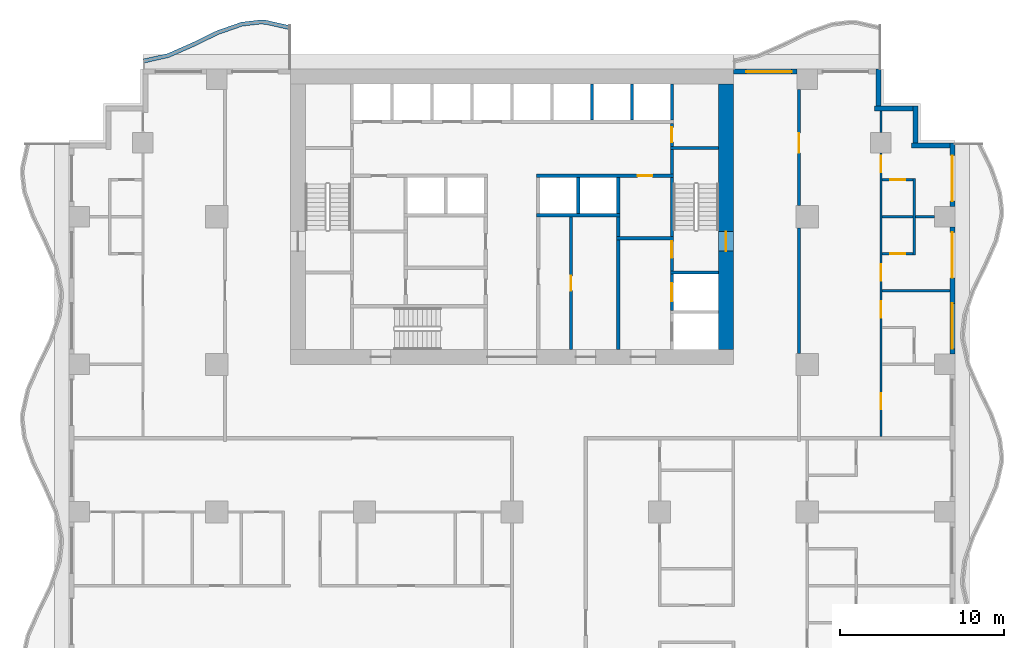
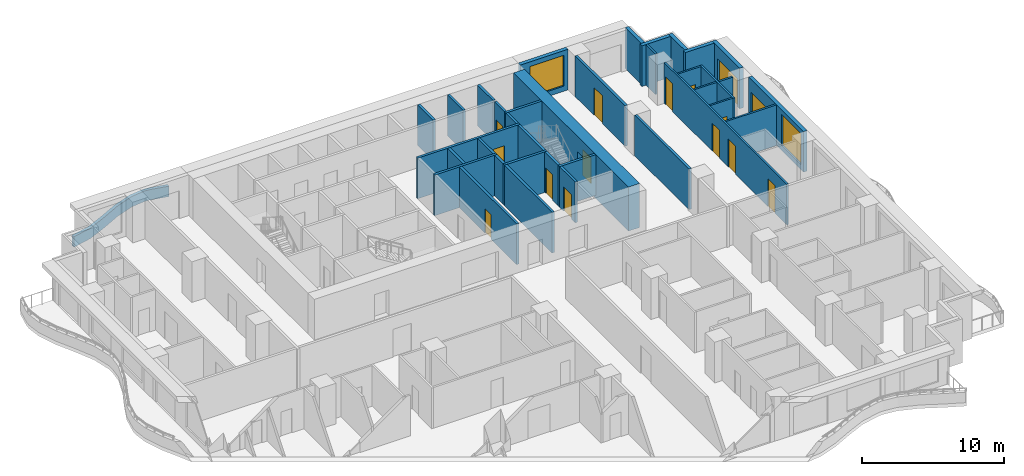
# One storey, part 6 of 14: 37 walls, 15 doors, 2 windows, 17 openings.
"""IFC4 building model written with IfcOpenShell, lengths in metres."""

from ifc_helpers import new_model, si_unit, direction, frame, frame_2d, origin, place, context, subcontext, project, spatial, polyline, rectangle, outline, extrude, material, layer, layer_set, type_object, element, fill, save


model = new_model("IFC4")

# Units and contexts
model_context = context("Model", 3, precision=1e-05, world=origin(), true_north=direction((0.0, 1.0)))
body_context = subcontext(model_context, "Body", "Model", "MODEL_VIEW")
ifc_project = project(units=[si_unit("LENGTHUNIT", "METRE"), si_unit("AREAUNIT", "SQUARE_METRE"), si_unit("VOLUMEUNIT", "CUBIC_METRE"), si_unit("PLANEANGLEUNIT", "RADIAN"), si_unit("MASSUNIT", "GRAM", prefix="KILO")], contexts=[model_context])

# Site, building, storey
site_placement = place(None, origin())
site = spatial("IfcSite", under=ifc_project, at=site_placement, CompositionType="ELEMENT")
building_placement = place(site_placement, origin())
building = spatial("IfcBuilding", under=site, at=building_placement, Name="Orbiselva Terraces", CompositionType="ELEMENT")
storey_placement = place(building_placement, frame((0.0, 0.0, 111.2)))
storey = spatial("IfcBuildingStorey", under=building, at=storey_placement, Name="L28", CompositionType="ELEMENT", Elevation=111.2)

# Wall, opening, door
ifc_material_1 = material(Name="Concrete C80/95", Category="concrete")
ifc_layer_1 = layer(ifc_material_1, 0.9)
ifc_layer_set_1 = layer_set([ifc_layer_1], Name="Concrete C80/95")
wall_type_1 = type_object("IfcWallType", Name="CORE WALL 900", PredefinedType="SHEAR", material=ifc_layer_set_1)
wall_1_placement = place(storey_placement, frame((13.05, 5.4, -0.3), z_axis=(0.0, 0.0, 1.0), x_axis=(0.0, 1.0, 0.0)))
wall_1 = element("IfcWall", 1, at=wall_1_placement, inside=storey, type_object=wall_type_1, Name="Core wall L28 east", PredefinedType="SHEAR", context=body_context, shape_type="SweptSolid", body=[
    extrude(rectangle(XDim=16.2, YDim=0.9, at=frame_2d((8.1, 0.0))), origin(), (0.0, 0.0, 1.0), 3.8),
])
opening_1_placement = place(wall_1_placement, frame((6.0, 0.0, 0.3)))
opening_1 = element("IfcOpeningElement", 2, at=opening_1_placement, cuts=wall_1, Name="Opening DS1200", PredefinedType="OPENING", context=body_context, shape_type="SweptSolid", body=[
    extrude(rectangle(XDim=1.2, YDim=2.2, at=frame_2d((0.6, 1.1))), frame((0.0, 0.46, 0.0), z_axis=(0.0, -1.0, 0.0), x_axis=(1.0, 0.0, 0.0)), (0.0, 0.0, 1.0), 0.92),
])
ifc_material_2 = material(Name="Steel fire door", Category="steel")
door_type_1 = type_object("IfcDoorType", Name="STAIR DOOR 1200", OperationType="NOTDEFINED", PredefinedType="DOOR", material=ifc_material_2)
door_1_placement = place(opening_1_placement, frame((1.2, 0.0, 0.0), z_axis=(0.0, 0.0, 1.0), x_axis=(-1.0, 0.0, 0.0)))
door_1 = element("IfcDoor", 3, at=door_1_placement, inside=storey, type_object=door_type_1, Name="L28 EXIT STAIR S2 door", OperationType="SINGLE_SWING_LEFT", OverallHeight=2.2, OverallWidth=1.2, PredefinedType="DOOR", context=body_context, shape_type="SweptSolid", body=[
    extrude(rectangle(XDim=1.2, YDim=2.2, at=frame_2d((0.6, 1.1))), frame((0.0, 0.025, 0.0), z_axis=(0.0, -1.0, 0.0), x_axis=(1.0, 0.0, 0.0)), (0.0, 0.0, 1.0), 0.05),
])
fill(opening_1, door_1)

ifc_material_3 = material(Name="Masonry blockwork", Category="masonry")
ifc_layer_2 = layer(ifc_material_3, 0.2)
ifc_layer_set_2 = layer_set([ifc_layer_2], Name="Masonry blockwork")
wall_type_2 = type_object("IfcWallType", Name="CORE-WALL-PARTITION-200", PredefinedType="PARTITIONING", material=ifc_layer_set_2)
wall_2_placement = place(storey_placement, frame((3.6, 13.5, 0.0), z_axis=(0.0, 0.0, 1.0), x_axis=(0.0, -1.0, 0.0)))
wall_2 = element("IfcWall", 4, at=wall_2_placement, inside=storey, type_object=wall_type_2, Name="L28 core wall 34", PredefinedType="PARTITIONING", context=body_context, shape_type="SweptSolid", body=[
    extrude(rectangle(XDim=8.1, YDim=0.2, at=frame_2d((4.05, 0.0))), origin(), (0.0, 0.0, 1.0), 3.5),
])
opening_2_placement = place(wall_2_placement, frame((3.6, 0.0, 0.0)))
opening_2 = element("IfcOpeningElement", 5, at=opening_2_placement, cuts=wall_2, Name="Opening DR900", PredefinedType="OPENING", context=body_context, shape_type="SweptSolid", body=[
    extrude(rectangle(XDim=0.9, YDim=2.1, at=frame_2d((0.45, 1.05))), frame((0.0, 0.11, 0.0), z_axis=(0.0, -1.0, 0.0), x_axis=(1.0, 0.0, 0.0)), (0.0, 0.0, 1.0), 0.22),
])
door_type_2 = type_object("IfcDoorType", Name="ROOM DOOR 900", OperationType="NOTDEFINED", PredefinedType="DOOR", material=ifc_material_2)
door_2_placement = place(opening_2_placement, origin())
door_2 = element("IfcDoor", 6, at=door_2_placement, inside=storey, type_object=door_type_2, Name="L28 SERVICE ROOM door", OperationType="SINGLE_SWING_RIGHT", OverallHeight=2.1, OverallWidth=0.9, PredefinedType="DOOR", context=body_context, shape_type="SweptSolid", body=[
    extrude(rectangle(XDim=0.9, YDim=2.1, at=frame_2d((0.45, 1.05))), frame((0.0, 0.025, 0.0), z_axis=(0.0, -1.0, 0.0), x_axis=(1.0, 0.0, 0.0)), (0.0, 0.0, 1.0), 0.05),
])
fill(opening_2, door_2)

# Wall
wall_3_placement = place(storey_placement, frame((6.475, 12.3, 0.0), z_axis=(0.0, 0.0, 1.0), x_axis=(0.0, 1.0, 0.0)))
element("IfcWall", 7, at=wall_3_placement, inside=storey, type_object=wall_type_2, Name="L28 core wall 39", PredefinedType="PARTITIONING", context=body_context, shape_type="SweptSolid", body=[
    extrude(rectangle(XDim=1.2, YDim=0.2, at=frame_2d((0.6, 0.0))), origin(), (0.0, 0.0, 1.0), 3.5),
])

# Wall, opening, door
wall_4_placement = place(storey_placement, frame((9.75, 19.2, 0.0), z_axis=(0.0, 0.0, 1.0), x_axis=(0.0, -1.0, 0.0)))
wall_4 = element("IfcWall", 8, at=wall_4_placement, inside=storey, type_object=wall_type_2, Name="L28 core wall 50", PredefinedType="PARTITIONING", context=body_context, shape_type="SweptSolid", body=[
    extrude(rectangle(XDim=1.4, YDim=0.2, at=frame_2d((0.7, 0.0))), origin(), (0.0, 0.0, 1.0), 3.5),
])
opening_3_placement = place(wall_4_placement, frame((0.25, 0.0, 0.0)))
opening_3 = element("IfcOpeningElement", 9, at=opening_3_placement, cuts=wall_4, Name="Opening DR900", PredefinedType="OPENING", context=body_context, shape_type="SweptSolid", body=[
    extrude(rectangle(XDim=0.9, YDim=2.1, at=frame_2d((0.45, 1.05))), frame((0.0, 0.11, 0.0), z_axis=(0.0, -1.0, 0.0), x_axis=(1.0, 0.0, 0.0)), (0.0, 0.0, 1.0), 0.22),
])
door_3_placement = place(opening_3_placement, origin())
door_3 = element("IfcDoor", 10, at=door_3_placement, inside=storey, type_object=door_type_2, Name="L28 ELECTRICAL RISER ROOM door", OperationType="SINGLE_SWING_RIGHT", OverallHeight=2.1, OverallWidth=0.9, PredefinedType="DOOR", context=body_context, shape_type="SweptSolid", body=[
    extrude(rectangle(XDim=0.9, YDim=2.1, at=frame_2d((0.45, 1.05))), frame((0.0, 0.025, 0.0), z_axis=(0.0, -1.0, 0.0), x_axis=(1.0, 0.0, 0.0)), (0.0, 0.0, 1.0), 0.05),
])
fill(opening_3, door_3)

# Walls
ifc_material_4 = material(Name="Concrete C40/50", Category="concrete")
ifc_layer_3 = layer(ifc_material_4, 0.2)
ifc_layer_set_3 = layer_set([ifc_layer_3], Name="Concrete C40/50")
wall_type_3 = type_object("IfcWallType", Name="CORE-WALL-SHAFT-200", PredefinedType="PARTITIONING", material=ifc_layer_set_3)
for number, where, z_axis, x_axis, name in (
    (11, (4.0375, 13.7, 0.0), (0.0, 0.0, 1.0), (0.0, 1.0, 0.0), "L28 core wall 35"),
    (12, (4.875, 19.4, 0.0), (0.0, 0.0, 1.0), (0.0, 1.0, 0.0), "L28 core wall 36"),
    (13, (6.475, 13.7, 0.0), (0.0, 0.0, 1.0), (0.0, 1.0, 0.0), "L28 core wall 40"),
    (14, (7.3125, 19.4, 0.0), (0.0, 0.0, 1.0), (0.0, 1.0, 0.0), "L28 core wall 41"),
    (15, (9.75, 19.4, 0.0), (0.0, 0.0, 1.0), (0.0, 1.0, 0.0), "L28 core wall 51"),
):
    element("IfcWall", number, at=place(storey_placement, frame(where, z_axis=z_axis, x_axis=x_axis)), inside=storey, type_object=wall_type_3, Name=name, PredefinedType="PARTITIONING", context=body_context, shape_type="SweptSolid", body=[
        extrude(rectangle(XDim=2.2, YDim=0.2, at=frame_2d((1.1, 0.0))), origin(), (0.0, 0.0, 1.0), 3.5),
    ])
ifc_material_5 = material(Name="Concrete C60/75", Category="concrete")
ifc_layer_4 = layer(ifc_material_5, 0.2)
ifc_layer_set_4 = layer_set([ifc_layer_4], Name="Concrete C60/75")
wall_type_4 = type_object("IfcWallType", Name="CORE-WALL-SHEAR-200", PredefinedType="SHEAR", material=ifc_layer_set_4)
wall_5_placement = place(storey_placement, frame((1.5, 13.6, 0.0), z_axis=(0.0, 0.0, 1.0), x_axis=(1.0, 0.0, 0.0)))
element("IfcWall", 16, at=wall_5_placement, inside=storey, type_object=wall_type_4, Name="L28 core wall 30", PredefinedType="SHEAR", context=body_context, shape_type="SweptSolid", body=[
    extrude(rectangle(XDim=5.075, YDim=0.2, at=frame_2d((2.5375, 0.0))), origin(), (0.0, 0.0, 1.0), 3.5),
])

# Wall, opening, door
wall_6_placement = place(storey_placement, frame((9.85, 16.0, 0.0), z_axis=(0.0, 0.0, 1.0), x_axis=(-1.0, 0.0, 0.0)))
wall_6 = element("IfcWall", 17, at=wall_6_placement, inside=storey, type_object=wall_type_4, Name="L28 core wall 32", PredefinedType="SHEAR", context=body_context, shape_type="SweptSolid", body=[
    extrude(rectangle(XDim=8.35, YDim=0.2, at=frame_2d((4.175, 0.0))), origin(), (0.0, 0.0, 1.0), 3.5),
])
opening_4_placement = place(wall_6_placement, frame((1.2875, 0.0, 0.0)))
opening_4 = element("IfcOpeningElement", 18, at=opening_4_placement, cuts=wall_6, Name="Opening DR900", PredefinedType="OPENING", context=body_context, shape_type="SweptSolid", body=[
    extrude(rectangle(XDim=0.9, YDim=2.1, at=frame_2d((0.45, 1.05))), frame((0.0, 0.11, 0.0), z_axis=(0.0, -1.0, 0.0), x_axis=(1.0, 0.0, 0.0)), (0.0, 0.0, 1.0), 0.22),
])
door_4_placement = place(opening_4_placement, origin())
door_4 = element("IfcDoor", 19, at=door_4_placement, inside=storey, type_object=door_type_2, Name="L28 PIPE RISER ROOM door", OperationType="SINGLE_SWING_LEFT", OverallHeight=2.1, OverallWidth=0.9, PredefinedType="DOOR", context=body_context, shape_type="SweptSolid", body=[
    extrude(rectangle(XDim=0.9, YDim=2.1, at=frame_2d((0.45, 1.05))), frame((0.0, 0.025, 0.0), z_axis=(0.0, -1.0, 0.0), x_axis=(1.0, 0.0, 0.0)), (0.0, 0.0, 1.0), 0.05),
])
fill(opening_4, door_4)

# Walls
wall_7_placement = place(storey_placement, frame((6.475, 5.4, 0.0), z_axis=(0.0, 0.0, 1.0), x_axis=(0.0, 1.0, 0.0)))
element("IfcWall", 20, at=wall_7_placement, inside=storey, type_object=wall_type_4, Name="L28 core wall 37", PredefinedType="SHEAR", context=body_context, shape_type="SweptSolid", body=[
    extrude(rectangle(XDim=6.7, YDim=0.2, at=frame_2d((3.35, 0.0))), origin(), (0.0, 0.0, 1.0), 3.5),
])
wall_8_placement = place(storey_placement, frame((6.375, 12.2, 0.0), z_axis=(0.0, 0.0, 1.0), x_axis=(1.0, 0.0, 0.0)))
element("IfcWall", 21, at=wall_8_placement, inside=storey, type_object=wall_type_4, Name="L28 core wall 38", PredefinedType="SHEAR", context=body_context, shape_type="SweptSolid", body=[
    extrude(rectangle(XDim=3.475, YDim=0.2, at=frame_2d((1.7375, 0.0))), origin(), (0.0, 0.0, 1.0), 3.5),
])

# Wall, opening, door
wall_9_placement = place(storey_placement, frame((9.75, 7.8, 0.0), z_axis=(0.0, 0.0, 1.0), x_axis=(0.0, 1.0, 0.0)))
wall_9 = element("IfcWall", 22, at=wall_9_placement, inside=storey, type_object=wall_type_4, Name="L28 core wall 44", PredefinedType="SHEAR", context=body_context, shape_type="SweptSolid", body=[
    extrude(rectangle(XDim=2.2, YDim=0.2, at=frame_2d((1.1, 0.0))), origin(), (0.0, 0.0, 1.0), 3.5),
])
opening_5_placement = place(wall_9_placement, frame((0.55, 0.0, 0.0)))
opening_5 = element("IfcOpeningElement", 23, at=opening_5_placement, cuts=wall_9, Name="Opening LD-FF2", PredefinedType="OPENING", context=body_context, shape_type="SweptSolid", body=[
    extrude(rectangle(XDim=1.1, YDim=2.1, at=frame_2d((0.55, 1.05))), frame((0.0, 0.11, 0.0), z_axis=(0.0, -1.0, 0.0), x_axis=(1.0, 0.0, 0.0)), (0.0, 0.0, 1.0), 0.22),
])
ifc_material_6 = material(Name="Stainless steel landing door", Category="steel")
door_type_3 = type_object("IfcDoorType", Name="LANDING DOOR 1100", OperationType="SLIDING_TO_LEFT", PredefinedType="DOOR", material=ifc_material_6)
door_5_placement = place(opening_5_placement, origin())
door_5 = element("IfcDoor", 24, at=door_5_placement, inside=storey, type_object=door_type_3, Name="L28 landing door FF2", OperationType="SLIDING_TO_RIGHT", OverallHeight=2.1, OverallWidth=1.1, PredefinedType="DOOR", context=body_context, shape_type="SweptSolid", body=[
    extrude(rectangle(XDim=1.1, YDim=2.1, at=frame_2d((0.55, 1.05))), frame((0.0, 0.025, 0.0), z_axis=(0.0, -1.0, 0.0), x_axis=(1.0, 0.0, 0.0)), (0.0, 0.0, 1.0), 0.05),
])
fill(opening_5, door_5)

# Wall
wall_10_placement = place(storey_placement, frame((9.65, 10.1, 0.0), z_axis=(0.0, 0.0, 1.0), x_axis=(1.0, 0.0, 0.0)))
element("IfcWall", 25, at=wall_10_placement, inside=storey, type_object=wall_type_4, Name="L28 core wall 45", PredefinedType="SHEAR", context=body_context, shape_type="SweptSolid", body=[
    extrude(rectangle(XDim=2.95, YDim=0.2, at=frame_2d((1.475, 0.0))), origin(), (0.0, 0.0, 1.0), 3.5),
])

# Wall, opening, door
wall_11_placement = place(storey_placement, frame((9.75, 12.1, 0.0), z_axis=(0.0, 0.0, 1.0), x_axis=(0.0, -1.0, 0.0)))
wall_11 = element("IfcWall", 26, at=wall_11_placement, inside=storey, type_object=wall_type_4, Name="L28 core wall 46", PredefinedType="SHEAR", context=body_context, shape_type="SweptSolid", body=[
    extrude(rectangle(XDim=1.9, YDim=0.2, at=frame_2d((0.95, 0.0))), origin(), (0.0, 0.0, 1.0), 3.5),
])
opening_6_placement = place(wall_11_placement, frame((0.1, 0.0, 0.0)))
opening_6 = element("IfcOpeningElement", 27, at=opening_6_placement, cuts=wall_11, Name="Opening DS1000", PredefinedType="OPENING", context=body_context, shape_type="SweptSolid", body=[
    extrude(rectangle(XDim=1.0, YDim=2.2, at=frame_2d((0.5, 1.1))), frame((0.0, 0.11, 0.0), z_axis=(0.0, -1.0, 0.0), x_axis=(1.0, 0.0, 0.0)), (0.0, 0.0, 1.0), 0.22),
])
door_type_4 = type_object("IfcDoorType", Name="STAIR DOOR 1000", OperationType="NOTDEFINED", PredefinedType="DOOR", material=ifc_material_2)
door_6_placement = place(opening_6_placement, origin())
door_6 = element("IfcDoor", 28, at=door_6_placement, inside=storey, type_object=door_type_4, Name="L28 FIRE-FIGHTING LOBBY TO EXIT STAIR S2 door", OperationType="SINGLE_SWING_LEFT", OverallHeight=2.2, OverallWidth=1.0, PredefinedType="DOOR", context=body_context, shape_type="SweptSolid", body=[
    extrude(rectangle(XDim=1.0, YDim=2.2, at=frame_2d((0.5, 1.1))), frame((0.0, 0.025, 0.0), z_axis=(0.0, -1.0, 0.0), x_axis=(1.0, 0.0, 0.0)), (0.0, 0.0, 1.0), 0.05),
])
fill(opening_6, door_6)

# Walls
wall_12_placement = place(storey_placement, frame((9.75, 12.3, 0.0), z_axis=(0.0, 0.0, 1.0), x_axis=(0.0, 1.0, 0.0)))
element("IfcWall", 29, at=wall_12_placement, inside=storey, type_object=wall_type_4, Name="L28 core wall 47", PredefinedType="SHEAR", context=body_context, shape_type="SweptSolid", body=[
    extrude(rectangle(XDim=3.6, YDim=0.2, at=frame_2d((1.8, 0.0))), origin(), (0.0, 0.0, 1.0), 3.5),
])
wall_13_placement = place(storey_placement, frame((9.75, 16.1, 0.0), z_axis=(0.0, 0.0, 1.0), x_axis=(0.0, 1.0, 0.0)))
element("IfcWall", 30, at=wall_13_placement, inside=storey, type_object=wall_type_4, Name="L28 core wall 48", PredefinedType="SHEAR", context=body_context, shape_type="SweptSolid", body=[
    extrude(rectangle(XDim=1.5, YDim=0.2, at=frame_2d((0.75, 0.0))), origin(), (0.0, 0.0, 1.0), 3.5),
])
wall_14_placement = place(storey_placement, frame((9.65, 17.7, 0.0), z_axis=(0.0, 0.0, 1.0), x_axis=(1.0, 0.0, 0.0)))
element("IfcWall", 31, at=wall_14_placement, inside=storey, type_object=wall_type_4, Name="L28 core wall 49", PredefinedType="SHEAR", context=body_context, shape_type="SweptSolid", body=[
    extrude(rectangle(XDim=2.95, YDim=0.2, at=frame_2d((1.475, 0.0))), origin(), (0.0, 0.0, 1.0), 3.5),
])
ifc_layer_5 = layer(ifc_material_4, 0.25)
ifc_layer_set_5 = layer_set([ifc_layer_5], Name="Concrete C40/50")
wall_type_5 = type_object("IfcWallType", Name="ENV-PLANTER-250x900", PredefinedType="USERDEFINED", material=ifc_layer_set_5)
wall_15_placement = place(storey_placement, origin())
element("IfcWall", 32, at=wall_15_placement, inside=storey, type_object=wall_type_5, Name="Balcony planter L28 NW", ObjectType="PLANTER", PredefinedType="USERDEFINED", context=body_context, shape_type="SweptSolid", body=[
    extrude(outline(polyline([(-13.5, 25.148528), (-15.0, 25.485226), (-15.375, 25.5), (-16.5, 25.369208), (-18.0, 24.844789), (-19.5, 24.112279), (-21.0, 23.451472), (-22.5, 23.114774), (-22.445246, 22.870844), (-20.921492, 23.212874), (-19.394714, 23.885477), (-17.90356, 24.613667), (-16.443629, 25.124078), (-15.365428, 25.249429), (-15.032565, 25.236315), (-13.554754, 24.904598), (-13.5, 25.148528)])), origin(), (0.0, 0.0, 1.0), 0.9),
])

# Wall, openings, door, window
ifc_material_7 = material(Name="Terracotta cladding on masonry backing", Category="masonry")
ifc_layer_6 = layer(ifc_material_7, 0.3)
ifc_layer_set_6 = layer_set([ifc_layer_6], Name="Terracotta cladding on masonry backing")
wall_type_6 = type_object("IfcWallType", Name="ENV-WALL-TERRACOTTA-300", PredefinedType="SOLIDWALL", material=ifc_layer_set_6)
wall_16_placement = place(storey_placement, frame((26.85, 12.875, 0.0), z_axis=(0.0, 0.0, 1.0), x_axis=(0.0, -1.0, 0.0)))
wall_16 = element("IfcWall", 33, at=wall_16_placement, inside=storey, type_object=wall_type_6, Name="Facade wall L28 E", PredefinedType="SOLIDWALL", context=body_context, shape_type="SweptSolid", body=[
    extrude(rectangle(XDim=7.75, YDim=0.3, at=frame_2d((3.875, 0.0))), origin(), (0.0, 0.0, 1.0), 3.5),
])
opening_7_placement = place(wall_16_placement, frame((4.65, 0.0, 0.45)))
opening_7 = element("IfcOpeningElement", 34, at=opening_7_placement, cuts=wall_16, Name="Opening WN6", PredefinedType="OPENING", context=body_context, shape_type="SweptSolid", body=[
    extrude(rectangle(XDim=2.775, YDim=2.65, at=frame_2d((1.3875, 1.325))), frame((0.0, 0.16, 0.0), z_axis=(0.0, -1.0, 0.0), x_axis=(1.0, 0.0, 0.0)), (0.0, 0.0, 1.0), 0.32),
])
opening_8_placement = place(wall_16_placement, frame((0.325, 0.0, 0.0)))
opening_8 = element("IfcOpeningElement", 35, at=opening_8_placement, cuts=wall_16, Name="Opening Z2-D-E21", PredefinedType="OPENING", context=body_context, shape_type="SweptSolid", body=[
    extrude(rectangle(XDim=2.775, YDim=2.4, at=frame_2d((1.3875, 1.2))), frame((0.0, 0.16, 0.0), z_axis=(0.0, -1.0, 0.0), x_axis=(1.0, 0.0, 0.0)), (0.0, 0.0, 1.0), 0.32),
])
ifc_material_8 = material(Name="Clear low-e glazing in aluminium frame", Category="aluminium")
door_type_5 = type_object("IfcDoorType", Name="BALCONY DOOR 2775 X 2400", OperationType="DOUBLE_DOOR_SLIDING", PredefinedType="DOOR", material=ifc_material_8)
door_7_placement = place(opening_8_placement, origin())
door_7 = element("IfcDoor", 36, at=door_7_placement, inside=storey, type_object=door_type_5, Name="Z2-D-E21", OperationType="SINGLE_SWING_LEFT", OverallHeight=2.4, OverallWidth=2.775, PredefinedType="DOOR", context=body_context, shape_type="SweptSolid", body=[
    extrude(rectangle(XDim=2.775, YDim=2.4, at=frame_2d((1.3875, 1.2))), frame((0.0, 0.025, 0.0), z_axis=(0.0, -1.0, 0.0), x_axis=(1.0, 0.0, 0.0)), (0.0, 0.0, 1.0), 0.05),
])
fill(opening_8, door_7)
window_type = type_object("IfcWindowType", Name="WINDOW 2775 X 2650 S450", PartitioningType="TRIPLE_PANEL_VERTICAL", PredefinedType="WINDOW", material=ifc_material_8)
window_1_placement = place(opening_7_placement, origin())
window_1 = element("IfcWindow", 37, at=window_1_placement, inside=storey, type_object=window_type, Name="Window L28 E", OverallHeight=2.65, OverallWidth=2.775, PartitioningType="SINGLE_PANEL", PredefinedType="WINDOW", context=body_context, shape_type="SweptSolid", body=[
    extrude(rectangle(XDim=2.775, YDim=2.65, at=frame_2d((1.3875, 1.325))), frame((0.0, 0.03, 0.0), z_axis=(0.0, -1.0, 0.0), x_axis=(1.0, 0.0, 0.0)), (0.0, 0.0, 1.0), 0.06),
])
fill(opening_7, window_1)

# Wall, opening, door
wall_17_placement = place(storey_placement, frame((26.85, 18.0, 0.0), z_axis=(0.0, 0.0, 1.0), x_axis=(0.0, -1.0, 0.0)))
wall_17 = element("IfcWall", 38, at=wall_17_placement, inside=storey, type_object=wall_type_6, Name="Facade wall L28 E", PredefinedType="SOLIDWALL", context=body_context, shape_type="SweptSolid", body=[
    extrude(rectangle(XDim=3.875, YDim=0.3, at=frame_2d((1.9375, 0.0))), origin(), (0.0, 0.0, 1.0), 3.5),
])
opening_9_placement = place(wall_17_placement, frame((0.775, 0.0, 0.0)))
opening_9 = element("IfcOpeningElement", 39, at=opening_9_placement, cuts=wall_17, Name="Opening Z2-D-E07", PredefinedType="OPENING", context=body_context, shape_type="SweptSolid", body=[
    extrude(rectangle(XDim=2.775, YDim=2.4, at=frame_2d((1.3875, 1.2))), frame((0.0, 0.16, 0.0), z_axis=(0.0, -1.0, 0.0), x_axis=(1.0, 0.0, 0.0)), (0.0, 0.0, 1.0), 0.32),
])
door_8_placement = place(opening_9_placement, origin())
door_8 = element("IfcDoor", 40, at=door_8_placement, inside=storey, type_object=door_type_5, Name="Z2-D-E07", OperationType="SINGLE_SWING_LEFT", OverallHeight=2.4, OverallWidth=2.775, PredefinedType="DOOR", context=body_context, shape_type="SweptSolid", body=[
    extrude(rectangle(XDim=2.775, YDim=2.4, at=frame_2d((1.3875, 1.2))), frame((0.0, 0.025, 0.0), z_axis=(0.0, -1.0, 0.0), x_axis=(1.0, 0.0, 0.0)), (0.0, 0.0, 1.0), 0.05),
])
fill(opening_9, door_8)

# Walls
wall_18_placement = place(storey_placement, frame((24.35, 17.85, 0.0), z_axis=(0.0, 0.0, 1.0), x_axis=(1.0, 0.0, 0.0)))
element("IfcWall", 41, at=wall_18_placement, inside=storey, type_object=wall_type_6, Name="Facade wall L28 STEP", PredefinedType="SOLIDWALL", context=body_context, shape_type="SweptSolid", body=[
    extrude(rectangle(XDim=2.35, YDim=0.3, at=frame_2d((1.175, 0.0))), origin(), (0.0, 0.0, 1.0), 3.5),
])
wall_19_placement = place(storey_placement, frame((24.6, 20.25, 0.0), z_axis=(0.0, 0.0, 1.0), x_axis=(0.0, -1.0, 0.0)))
element("IfcWall", 42, at=wall_19_placement, inside=storey, type_object=wall_type_6, Name="Facade wall L28 STEP", PredefinedType="SOLIDWALL", context=body_context, shape_type="SweptSolid", body=[
    extrude(rectangle(XDim=2.25, YDim=0.3, at=frame_2d((1.125, 0.0))), origin(), (0.0, 0.0, 1.0), 3.5),
])
wall_20_placement = place(storey_placement, frame((22.1, 20.1, 0.0), z_axis=(0.0, 0.0, 1.0), x_axis=(1.0, 0.0, 0.0)))
element("IfcWall", 43, at=wall_20_placement, inside=storey, type_object=wall_type_6, Name="Facade wall L28 STEP", PredefinedType="SOLIDWALL", context=body_context, shape_type="SweptSolid", body=[
    extrude(rectangle(XDim=2.35, YDim=0.3, at=frame_2d((1.175, 0.0))), origin(), (0.0, 0.0, 1.0), 3.5),
])
wall_21_placement = place(storey_placement, frame((22.35, 22.5, 0.0), z_axis=(0.0, 0.0, 1.0), x_axis=(0.0, -1.0, 0.0)))
element("IfcWall", 44, at=wall_21_placement, inside=storey, type_object=wall_type_6, Name="Facade wall L28 STEP", PredefinedType="SOLIDWALL", context=body_context, shape_type="SweptSolid", body=[
    extrude(rectangle(XDim=2.25, YDim=0.3, at=frame_2d((1.125, 0.0))), origin(), (0.0, 0.0, 1.0), 3.5),
])

# Wall, opening, window
wall_22_placement = place(storey_placement, frame((13.5, 22.35, 0.0), z_axis=(0.0, 0.0, 1.0), x_axis=(1.0, 0.0, 0.0)))
wall_22 = element("IfcWall", 45, at=wall_22_placement, inside=storey, type_object=wall_type_6, Name="Facade wall L28 NE", PredefinedType="SOLIDWALL", context=body_context, shape_type="SweptSolid", body=[
    extrude(rectangle(XDim=3.875, YDim=0.3, at=frame_2d((1.9375, 0.0))), origin(), (0.0, 0.0, 1.0), 3.5),
])
opening_10_placement = place(wall_22_placement, frame((0.775, 0.0, 0.45)))
opening_10 = element("IfcOpeningElement", 46, at=opening_10_placement, cuts=wall_22, Name="Opening WN6", PredefinedType="OPENING", context=body_context, shape_type="SweptSolid", body=[
    extrude(rectangle(XDim=2.775, YDim=2.65, at=frame_2d((1.3875, 1.325))), frame((0.0, 0.16, 0.0), z_axis=(0.0, -1.0, 0.0), x_axis=(1.0, 0.0, 0.0)), (0.0, 0.0, 1.0), 0.32),
])
window_2_placement = place(opening_10_placement, origin())
window_2 = element("IfcWindow", 47, at=window_2_placement, inside=storey, type_object=window_type, Name="Window L28 NE", OverallHeight=2.65, OverallWidth=2.775, PartitioningType="SINGLE_PANEL", PredefinedType="WINDOW", context=body_context, shape_type="SweptSolid", body=[
    extrude(rectangle(XDim=2.775, YDim=2.65, at=frame_2d((1.3875, 1.325))), frame((0.0, 0.03, 0.0), z_axis=(0.0, -1.0, 0.0), x_axis=(1.0, 0.0, 0.0)), (0.0, 0.0, 1.0), 0.06),
])
fill(opening_10, window_2)

# Wall
ifc_material_9 = material(Name="Plasterboard on steel stud partition", Category="steel")
ifc_layer_7 = layer(ifc_material_9, 0.2)
ifc_layer_set_7 = layer_set([ifc_layer_7], Name="Plasterboard on steel stud partition")
wall_type_7 = type_object("IfcWallType", Name="UNIT-ENTRANCE-WALL-200", PredefinedType="PARTITIONING", material=ifc_layer_set_7)
wall_23_placement = place(storey_placement, frame((17.5, 5.175, 0.0), z_axis=(0.0, 0.0, 1.0), x_axis=(0.0, 1.0, 0.0)))
element("IfcWall", 48, at=wall_23_placement, inside=storey, type_object=wall_type_7, Name="PARTITION L28-080", PredefinedType="PARTITIONING", context=body_context, shape_type="SweptSolid", body=[
    extrude(rectangle(XDim=7.65, YDim=0.2, at=frame_2d((3.825, 0.0))), origin(), (0.0, 0.0, 1.0), 3.5),
])

# Wall, opening, door
wall_24_placement = place(storey_placement, frame((17.5, 21.25, 0.0), z_axis=(0.0, 0.0, 1.0), x_axis=(0.0, -1.0, 0.0)))
wall_24 = element("IfcWall", 49, at=wall_24_placement, inside=storey, type_object=wall_type_7, Name="PARTITION L28-081", PredefinedType="PARTITIONING", context=body_context, shape_type="SweptSolid", body=[
    extrude(rectangle(XDim=7.075, YDim=0.2, at=frame_2d((3.5375, 0.0))), origin(), (0.0, 0.0, 1.0), 3.5),
])
opening_11_placement = place(wall_24_placement, frame((2.65, 0.0, 0.0)))
opening_11 = element("IfcOpeningElement", 50, at=opening_11_placement, cuts=wall_24, Name="Opening Z2-D-07", PredefinedType="OPENING", context=body_context, shape_type="SweptSolid", body=[
    extrude(rectangle(XDim=1.2, YDim=2.4, at=frame_2d((0.6, 1.2))), frame((0.0, 0.11, 0.0), z_axis=(0.0, -1.0, 0.0), x_axis=(1.0, 0.0, 0.0)), (0.0, 0.0, 1.0), 0.22),
])
ifc_material_10 = material(Name="Painted timber door leaf", Category="wood")
door_type_6 = type_object("IfcDoorType", Name="ENTRANCE DOOR 1200", OperationType="NOTDEFINED", PredefinedType="DOOR", material=ifc_material_10)
door_9_placement = place(opening_11_placement, origin())
door_9 = element("IfcDoor", 51, at=door_9_placement, inside=storey, type_object=door_type_6, Name="Z2-D-07", OperationType="SINGLE_SWING_LEFT", OverallHeight=2.4, OverallWidth=1.2, PredefinedType="DOOR", context=body_context, shape_type="SweptSolid", body=[
    extrude(rectangle(XDim=1.2, YDim=2.4, at=frame_2d((0.6, 1.2))), frame((0.0, 0.025, 0.0), z_axis=(0.0, -1.0, 0.0), x_axis=(1.0, 0.0, 0.0)), (0.0, 0.0, 1.0), 0.05),
])
fill(opening_11, door_9)

# Wall
ifc_layer_8 = layer(ifc_material_9, 0.15)
ifc_layer_set_8 = layer_set([ifc_layer_8], Name="Plasterboard on steel stud partition")
wall_type_8 = type_object("IfcWallType", Name="UNIT-PARTITION-150", PredefinedType="PARTITIONING", material=ifc_layer_set_8)
wall_25_placement = place(storey_placement, frame((22.575, 9.0, 0.0), z_axis=(0.0, 0.0, 1.0), x_axis=(1.0, 0.0, 0.0)))
element("IfcWall", 52, at=wall_25_placement, inside=storey, type_object=wall_type_8, Name="PARTITION L28-036", PredefinedType="PARTITIONING", context=body_context, shape_type="SweptSolid", body=[
    extrude(rectangle(XDim=4.125, YDim=0.15, at=frame_2d((2.0625, 0.0))), origin(), (0.0, 0.0, 1.0), 3.5),
])

# Wall, opening, door
wall_26_placement = place(storey_placement, frame((22.575, 11.25, 0.0), z_axis=(0.0, 0.0, 1.0), x_axis=(1.0, 0.0, 0.0)))
wall_26 = element("IfcWall", 53, at=wall_26_placement, inside=storey, type_object=wall_type_8, Name="PARTITION L28-038", PredefinedType="PARTITIONING", context=body_context, shape_type="SweptSolid", body=[
    extrude(rectangle(XDim=1.875, YDim=0.15, at=frame_2d((0.9375, 0.0))), origin(), (0.0, 0.0, 1.0), 3.5),
])
opening_12_placement = place(wall_26_placement, frame((0.5, 0.0, 0.0)))
opening_12 = element("IfcOpeningElement", 54, at=opening_12_placement, cuts=wall_26, Name="Opening Z2-D-12", PredefinedType="OPENING", context=body_context, shape_type="SweptSolid", body=[
    extrude(rectangle(XDim=0.9, YDim=2.1, at=frame_2d((0.45, 1.05))), frame((0.0, 0.085, 0.0), z_axis=(0.0, -1.0, 0.0), x_axis=(1.0, 0.0, 0.0)), (0.0, 0.0, 1.0), 0.17),
])
door_type_7 = type_object("IfcDoorType", Name="BATH DOOR 900", OperationType="NOTDEFINED", PredefinedType="DOOR", material=ifc_material_10)
door_10_placement = place(opening_12_placement, origin())
door_10 = element("IfcDoor", 55, at=door_10_placement, inside=storey, type_object=door_type_7, Name="Z2-D-12", OperationType="SINGLE_SWING_RIGHT", OverallHeight=2.1, OverallWidth=0.9, PredefinedType="DOOR", context=body_context, shape_type="SweptSolid", body=[
    extrude(rectangle(XDim=0.9, YDim=2.1, at=frame_2d((0.45, 1.05))), frame((0.0, 0.025, 0.0), z_axis=(0.0, -1.0, 0.0), x_axis=(1.0, 0.0, 0.0)), (0.0, 0.0, 1.0), 0.05),
])
fill(opening_12, door_10)

# Walls
wall_27_placement = place(storey_placement, frame((22.575, 13.5, 0.0), z_axis=(0.0, 0.0, 1.0), x_axis=(1.0, 0.0, 0.0)))
element("IfcWall", 56, at=wall_27_placement, inside=storey, type_object=wall_type_8, Name="PARTITION L28-041", PredefinedType="PARTITIONING", context=body_context, shape_type="SweptSolid", body=[
    extrude(rectangle(XDim=1.875, YDim=0.15, at=frame_2d((0.9375, 0.0))), origin(), (0.0, 0.0, 1.0), 3.5),
])
wall_28_placement = place(storey_placement, frame((24.6, 13.5, 0.0), z_axis=(0.0, 0.0, 1.0), x_axis=(1.0, 0.0, 0.0)))
element("IfcWall", 57, at=wall_28_placement, inside=storey, type_object=wall_type_8, Name="PARTITION L28-042", PredefinedType="PARTITIONING", context=body_context, shape_type="SweptSolid", body=[
    extrude(rectangle(XDim=1.15, YDim=0.15, at=frame_2d((0.575, 0.0))), origin(), (0.0, 0.0, 1.0), 3.5),
])

# Wall, opening, door
wall_29_placement = place(storey_placement, frame((24.45, 15.75, 0.0), z_axis=(0.0, 0.0, 1.0), x_axis=(-1.0, 0.0, 0.0)))
wall_29 = element("IfcWall", 58, at=wall_29_placement, inside=storey, type_object=wall_type_8, Name="PARTITION L28-044", PredefinedType="PARTITIONING", context=body_context, shape_type="SweptSolid", body=[
    extrude(rectangle(XDim=1.875, YDim=0.15, at=frame_2d((0.9375, 0.0))), origin(), (0.0, 0.0, 1.0), 3.5),
])
opening_13_placement = place(wall_29_placement, frame((0.475, 0.0, 0.0)))
opening_13 = element("IfcOpeningElement", 59, at=opening_13_placement, cuts=wall_29, Name="Opening Z2-D-14", PredefinedType="OPENING", context=body_context, shape_type="SweptSolid", body=[
    extrude(rectangle(XDim=0.9, YDim=2.1, at=frame_2d((0.45, 1.05))), frame((0.0, 0.085, 0.0), z_axis=(0.0, -1.0, 0.0), x_axis=(1.0, 0.0, 0.0)), (0.0, 0.0, 1.0), 0.17),
])
door_11_placement = place(opening_13_placement, origin())
door_11 = element("IfcDoor", 60, at=door_11_placement, inside=storey, type_object=door_type_7, Name="Z2-D-14", OperationType="SINGLE_SWING_LEFT", OverallHeight=2.1, OverallWidth=0.9, PredefinedType="DOOR", context=body_context, shape_type="SweptSolid", body=[
    extrude(rectangle(XDim=0.9, YDim=2.1, at=frame_2d((0.45, 1.05))), frame((0.0, 0.025, 0.0), z_axis=(0.0, -1.0, 0.0), x_axis=(1.0, 0.0, 0.0)), (0.0, 0.0, 1.0), 0.05),
])
fill(opening_13, door_11)

# Wall, openings, doors
wall_30_placement = place(storey_placement, frame((22.5, 17.375, 0.0), z_axis=(0.0, 0.0, 1.0), x_axis=(0.0, -1.0, 0.0)))
wall_30 = element("IfcWall", 61, at=wall_30_placement, inside=storey, type_object=wall_type_8, Name="PARTITION L28-088", PredefinedType="PARTITIONING", context=body_context, shape_type="SweptSolid", body=[
    extrude(rectangle(XDim=17.275, YDim=0.15, at=frame_2d((8.6375, 0.0))), origin(), (0.0, 0.0, 1.0), 3.5),
])
opening_14_placement = place(wall_30_placement, frame((14.625, 0.0, 0.0)))
opening_14 = element("IfcOpeningElement", 62, at=opening_14_placement, cuts=wall_30, Name="Opening Z2-D-08", PredefinedType="OPENING", context=body_context, shape_type="SweptSolid", body=[
    extrude(rectangle(XDim=1.0, YDim=2.4, at=frame_2d((0.5, 1.2))), frame((0.0, 0.085, 0.0), z_axis=(0.0, -1.0, 0.0), x_axis=(1.0, 0.0, 0.0)), (0.0, 0.0, 1.0), 0.17),
])
opening_15_placement = place(wall_30_placement, frame((9.025, 0.0, 0.0)))
opening_15 = element("IfcOpeningElement", 63, at=opening_15_placement, cuts=wall_30, Name="Opening Z2-D-09", PredefinedType="OPENING", context=body_context, shape_type="SweptSolid", body=[
    extrude(rectangle(XDim=1.0, YDim=2.4, at=frame_2d((0.5, 1.2))), frame((0.0, 0.085, 0.0), z_axis=(0.0, -1.0, 0.0), x_axis=(1.0, 0.0, 0.0)), (0.0, 0.0, 1.0), 0.17),
])
opening_16_placement = place(wall_30_placement, frame((6.775, 0.0, 0.0)))
opening_16 = element("IfcOpeningElement", 64, at=opening_16_placement, cuts=wall_30, Name="Opening Z2-D-11", PredefinedType="OPENING", context=body_context, shape_type="SweptSolid", body=[
    extrude(rectangle(XDim=1.0, YDim=2.4, at=frame_2d((0.5, 1.2))), frame((0.0, 0.085, 0.0), z_axis=(0.0, -1.0, 0.0), x_axis=(1.0, 0.0, 0.0)), (0.0, 0.0, 1.0), 0.17),
])
opening_17_placement = place(wall_30_placement, frame((0.15, 0.0, 0.0)))
opening_17 = element("IfcOpeningElement", 65, at=opening_17_placement, cuts=wall_30, Name="Opening Z2-D-13", PredefinedType="OPENING", context=body_context, shape_type="SweptSolid", body=[
    extrude(rectangle(XDim=1.0, YDim=2.4, at=frame_2d((0.5, 1.2))), frame((0.0, 0.085, 0.0), z_axis=(0.0, -1.0, 0.0), x_axis=(1.0, 0.0, 0.0)), (0.0, 0.0, 1.0), 0.17),
])
door_type_8 = type_object("IfcDoorType", Name="ROOM DOOR 1000", OperationType="NOTDEFINED", PredefinedType="DOOR", material=ifc_material_10)
door_12_placement = place(opening_14_placement, origin())
door_12 = element("IfcDoor", 66, at=door_12_placement, inside=storey, type_object=door_type_8, Name="Z2-D-08", OperationType="SINGLE_SWING_RIGHT", OverallHeight=2.4, OverallWidth=1.0, PredefinedType="DOOR", context=body_context, shape_type="SweptSolid", body=[
    extrude(rectangle(XDim=1.0, YDim=2.4, at=frame_2d((0.5, 1.2))), frame((0.0, 0.025, 0.0), z_axis=(0.0, -1.0, 0.0), x_axis=(1.0, 0.0, 0.0)), (0.0, 0.0, 1.0), 0.05),
])
fill(opening_14, door_12)
door_13_placement = place(opening_15_placement, origin())
door_13 = element("IfcDoor", 67, at=door_13_placement, inside=storey, type_object=door_type_8, Name="Z2-D-09", OperationType="SINGLE_SWING_RIGHT", OverallHeight=2.4, OverallWidth=1.0, PredefinedType="DOOR", context=body_context, shape_type="SweptSolid", body=[
    extrude(rectangle(XDim=1.0, YDim=2.4, at=frame_2d((0.5, 1.2))), frame((0.0, 0.025, 0.0), z_axis=(0.0, -1.0, 0.0), x_axis=(1.0, 0.0, 0.0)), (0.0, 0.0, 1.0), 0.05),
])
fill(opening_15, door_13)
door_14_placement = place(opening_16_placement, origin())
door_14 = element("IfcDoor", 68, at=door_14_placement, inside=storey, type_object=door_type_8, Name="Z2-D-11", OperationType="SINGLE_SWING_LEFT", OverallHeight=2.4, OverallWidth=1.0, PredefinedType="DOOR", context=body_context, shape_type="SweptSolid", body=[
    extrude(rectangle(XDim=1.0, YDim=2.4, at=frame_2d((0.5, 1.2))), frame((0.0, 0.025, 0.0), z_axis=(0.0, -1.0, 0.0), x_axis=(1.0, 0.0, 0.0)), (0.0, 0.0, 1.0), 0.05),
])
fill(opening_16, door_14)
door_15_placement = place(opening_17_placement, origin())
door_15 = element("IfcDoor", 69, at=door_15_placement, inside=storey, type_object=door_type_8, Name="Z2-D-13", OperationType="SINGLE_SWING_LEFT", OverallHeight=2.4, OverallWidth=1.0, PredefinedType="DOOR", context=body_context, shape_type="SweptSolid", body=[
    extrude(rectangle(XDim=1.0, YDim=2.4, at=frame_2d((0.5, 1.2))), frame((0.0, 0.025, 0.0), z_axis=(0.0, -1.0, 0.0), x_axis=(1.0, 0.0, 0.0)), (0.0, 0.0, 1.0), 0.05),
])
fill(opening_17, door_15)

# Walls
wall_31_placement = place(storey_placement, frame((22.5, 18.625, 0.0), z_axis=(0.0, 0.0, 1.0), x_axis=(0.0, 1.0, 0.0)))
element("IfcWall", 70, at=wall_31_placement, inside=storey, type_object=wall_type_8, Name="PARTITION L28-089", PredefinedType="PARTITIONING", context=body_context, shape_type="SweptSolid", body=[
    extrude(rectangle(XDim=1.325, YDim=0.15, at=frame_2d((0.6625, 0.0))), origin(), (0.0, 0.0, 1.0), 3.5),
])
wall_32_placement = place(storey_placement, frame((24.525, 11.175, 0.0), z_axis=(0.0, 0.0, 1.0), x_axis=(0.0, 1.0, 0.0)))
element("IfcWall", 71, at=wall_32_placement, inside=storey, type_object=wall_type_8, Name="PARTITION L28-091", PredefinedType="PARTITIONING", context=body_context, shape_type="SweptSolid", body=[
    extrude(rectangle(XDim=4.65, YDim=0.15, at=frame_2d((2.325, 0.0))), origin(), (0.0, 0.0, 1.0), 3.5),
])

save(model, "model.ifc")
